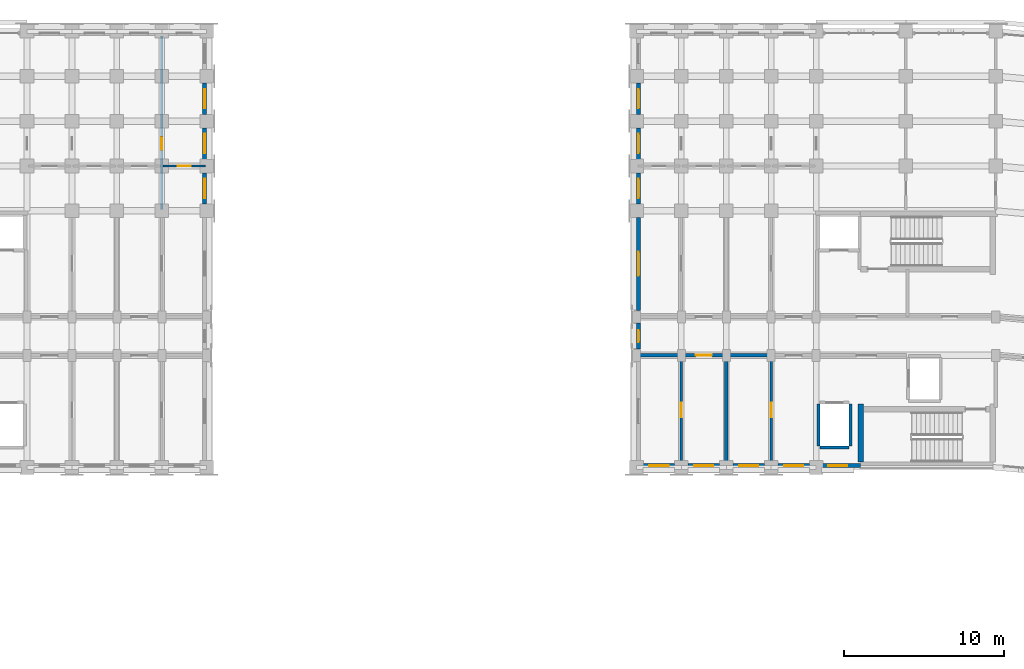
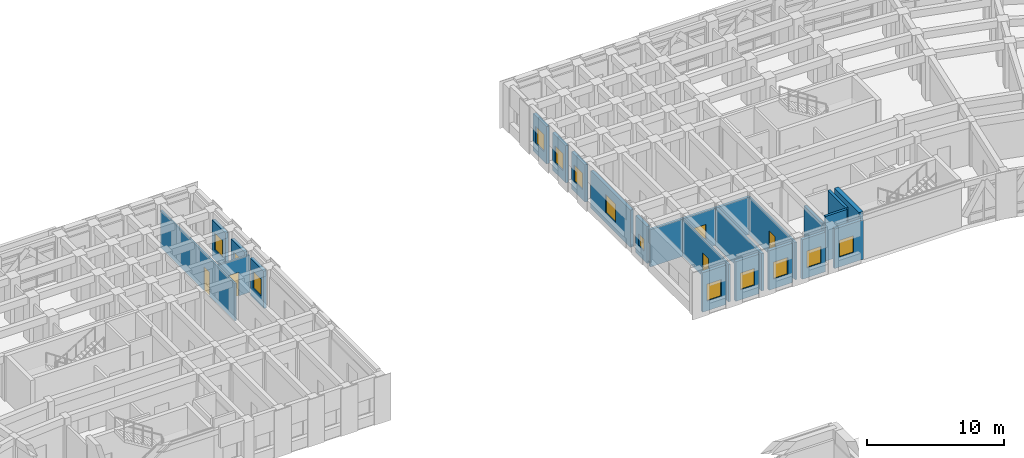
# One storey, part 72 of 97: 25 walls, 13 windows, 5 doors, 18 openings.
"""IFC4 building model written with IfcOpenShell, lengths in metres."""

import ifcopenshell
import ifcopenshell.guid

model = None  # the IFC model being written
_history = None  # IfcOwnerHistory: only IFC2X3 demands one
_inside = {}  # id of a spatial element -> (the spatial element, [elements in it])
_under = {}  # id of a project, library or spatial element -> (it, [spatial elements below it])
_declared = {}  # id of a project -> (the project, [libraries it declares])
_typed = {}  # id of a type object -> (the type object, [elements of that type])
_made_of = {}  # id of a material, layer set ... -> (it, [elements and type objects made of it])


def new_model(schema):
    """Start an empty IFC model of exactly this schema.

    Asked for "IFC4X3", IfcOpenShell would pick the latest addendum, in which some entities
    have other attributes; the version numbers below select the first issue.
    IFC2X3 requires an IfcOwnerHistory on every rooted entity: one is made here for all.
    """
    global model, _history
    if schema == "IFC4X3":
        model = ifcopenshell.file(schema_version=(4, 3, 0, 0))
    else:
        model = ifcopenshell.file(schema=schema)
    _inside.clear()
    _under.clear()
    _declared.clear()
    _typed.clear()
    _made_of.clear()
    _history = None
    if model.schema == "IFC2X3":
        org = make("IfcOrganization", Name="unknown")
        user = make(
            "IfcPersonAndOrganization",
            ThePerson=make("IfcPerson", FamilyName="unknown"),
            TheOrganization=org,
        )
        app = make(
            "IfcApplication",
            ApplicationDeveloper=org,
            Version="unknown",
            ApplicationFullName="unknown",
            ApplicationIdentifier="unknown",
        )
        _history = make(
            "IfcOwnerHistory",
            OwningUser=user,
            OwningApplication=app,
            ChangeAction="ADDED",
            CreationDate=0,
        )
    return model


def make(cls, **values):
    """One entity of the class cls with the attributes given. An attribute that is None is left unset."""
    return model.create_entity(
        cls, **{name: value for name, value in values.items() if value is not None}
    )


def rooted(cls, **values):
    """An entity with a GlobalId (a new one), such as an element, a storey or a relation."""
    return make(cls, GlobalId=ifcopenshell.guid.new(), OwnerHistory=_history, **values)


def si_unit(unit_type, name, prefix=None):
    """IfcSIUnit, for example si_unit("LENGTHUNIT", "METRE", prefix="MILLI")."""
    return make("IfcSIUnit", UnitType=unit_type, Prefix=prefix, Name=name)


def assignment(units):
    """IfcUnitAssignment: the units of a project."""
    return None if units is None else make("IfcUnitAssignment", Units=units)


def point(xyz):
    """IfcCartesianPoint."""
    return None if xyz is None else make("IfcCartesianPoint", Coordinates=xyz)


def direction(xyz):
    """IfcDirection."""
    return None if xyz is None else make("IfcDirection", DirectionRatios=xyz)


def frame(location, z_axis=None, x_axis=None):
    """IfcAxis2Placement3D, a coordinate frame: its origin and axes. An axis left out is left unset."""
    return make(
        "IfcAxis2Placement3D",
        Location=point(location),
        Axis=direction(z_axis),
        RefDirection=direction(x_axis),
    )


def frame_2d(location, x_axis=None):
    """IfcAxis2Placement2D, a coordinate frame in the plane: its origin and x axis."""
    return make(
        "IfcAxis2Placement2D", Location=point(location), RefDirection=direction(x_axis)
    )


def origin():
    """The frame at (0, 0, 0) with its axes left unset."""
    return frame((0.0, 0.0, 0.0))


def place(relative_to, where):
    """IfcLocalPlacement: puts the frame where relative to a parent placement (None: the world)."""
    return make(
        "IfcLocalPlacement", PlacementRelTo=relative_to, RelativePlacement=where
    )


def context(
    kind, dimensions, precision=None, world=None, true_north=None, identifier=None
):
    """IfcGeometricRepresentationContext, for example the 3D "Model" context."""
    return make(
        "IfcGeometricRepresentationContext",
        ContextIdentifier=identifier,
        ContextType=kind,
        CoordinateSpaceDimension=dimensions,
        Precision=precision,
        WorldCoordinateSystem=world,
        TrueNorth=true_north,
    )


def subcontext(parent, identifier, kind, view, scale=None):
    """IfcGeometricRepresentationSubContext, for example "Body" below "Model"."""
    return make(
        "IfcGeometricRepresentationSubContext",
        ContextIdentifier=identifier,
        ContextType=kind,
        ParentContext=parent,
        TargetScale=scale,
        TargetView=view,
    )


def project(units=None, contexts=None):
    """IfcProject with its units and contexts."""
    return rooted(
        "IfcProject",
        Name="project",
        RepresentationContexts=contexts,
        UnitsInContext=assignment(units),
    )


def spatial(cls, under=None, at=None, **own):
    """A site, building, storey or space (cls), placed at a placement, below another one or the project."""
    s = rooted(cls, ObjectPlacement=at, **own)
    if under is not None:
        _under.setdefault(under.id(), (under, []))[1].append(s)
    return s


def profile(cls, at=None, kind="AREA", **sizes):
    """A parametric profile (cls). Its sizes go by their IFC names, for example OverallWidth=200.0."""
    return make(cls, ProfileType=kind, Position=at, **sizes)


def rectangle(**sizes):
    """IfcRectangleProfileDef."""
    return profile("IfcRectangleProfileDef", **sizes)


def extrude(swept, where, along, depth):
    """IfcExtrudedAreaSolid: the profile swept, set in the frame where, extruded along a direction by depth."""
    return make(
        "IfcExtrudedAreaSolid",
        SweptArea=swept,
        Position=where,
        ExtrudedDirection=direction(along),
        Depth=depth,
    )


def shape(context_of_items, identifier, shape_type, items):
    """IfcShapeRepresentation: the items that make up one representation, for example the "Body"."""
    return make(
        "IfcShapeRepresentation",
        ContextOfItems=context_of_items,
        RepresentationIdentifier=identifier,
        RepresentationType=shape_type,
        Items=items,
    )


def material(Name=None, Category=None):
    """IfcMaterial."""
    return make("IfcMaterial", Name=Name, Category=Category)


def layer(
    of_material, thickness, ventilated=None, Name=None, Category=None, Priority=None
):
    """IfcMaterialLayer: one layer of a wall or slab, of a material (None: an air gap)."""
    return make(
        "IfcMaterialLayer",
        Material=of_material,
        LayerThickness=thickness,
        IsVentilated=ventilated,
        Name=Name,
        Category=Category,
        Priority=Priority,
    )


def layer_set(layers, Name=None):
    """IfcMaterialLayerSet."""
    return make("IfcMaterialLayerSet", MaterialLayers=layers, LayerSetName=Name)


def made_of(thing, what):
    """Note that an element or type object is made of a material, layer set ...; save() writes the relation."""
    if what is not None:
        _made_of.setdefault(what.id(), (what, []))[1].append(thing)
    return thing


def type_object(cls, material=None, **own):
    """A type object (cls), such as IfcWallType, which elements share."""
    return made_of(rooted(cls, **own), material)


def element(
    cls,
    number,
    at=None,
    inside=None,
    cuts=None,
    type_object=None,
    material=None,
    context=None,
    identifier="Body",
    shape_type=None,
    held_by="IfcProductDefinitionShape",
    body=None,
    shapes=None,
    **own,
):
    """One element of the class cls, such as IfcWall. Its Tag is "e" and its number.

    at: its placement. inside: the storey or other place that contains it. cuts: it is an
    opening in that element (IfcRelVoidsElement). A single representation is given by context,
    identifier, shape_type and body (its items); several are given by shapes. held_by: the class
    of the entity that holds the representations. save() writes the other relations.
    """
    e = rooted(cls, Tag="e%d" % number, ObjectPlacement=at, **own)
    if body is not None:
        shapes = [shape(context, identifier, shape_type, body)]
    if shapes is not None:
        e.Representation = make(held_by, Representations=shapes)
    if inside is not None:
        _inside.setdefault(inside.id(), (inside, []))[1].append(e)
    if cuts is not None:
        rooted(
            "IfcRelVoidsElement", RelatingBuildingElement=cuts, RelatedOpeningElement=e
        )
    if type_object is not None:
        _typed.setdefault(type_object.id(), (type_object, []))[1].append(e)
    return made_of(e, material)


def fill(opening, filler):
    """IfcRelFillsElement: the door or window that sits in an opening."""
    return rooted(
        "IfcRelFillsElement",
        RelatingOpeningElement=opening,
        RelatedBuildingElement=filler,
    )


def aggregate(whole, parts):
    """IfcRelAggregates: a whole, such as a stair, and the parts it consists of."""
    return rooted("IfcRelAggregates", RelatingObject=whole, RelatedObjects=parts)


def save(model, path):
    """Write the relations noted so far, then the file.

    IfcRelAggregates (storeys below a building ...), IfcRelContainedInSpatialStructure (elements
    in a storey), IfcRelDefinesByType, IfcRelAssociatesMaterial and IfcRelDeclares: one each for
    every whole, place, type object, material and project.
    """
    for whole, parts in _under.values():
        aggregate(whole, parts)
    for where, things in _inside.values():
        rooted(
            "IfcRelContainedInSpatialStructure",
            RelatedElements=things,
            RelatingStructure=where,
        )
    for kind, things in _typed.values():
        rooted("IfcRelDefinesByType", RelatedObjects=things, RelatingType=kind)
    for what, things in _made_of.values():
        rooted("IfcRelAssociatesMaterial", RelatedObjects=things, RelatingMaterial=what)
    for by, libraries in _declared.values():
        rooted("IfcRelDeclares", RelatingContext=by, RelatedDefinitions=libraries)
    model.write(path)


model = new_model("IFC4")

# Units and contexts
model_context = context("Model", 3, precision=1e-05, world=origin(), true_north=direction((0.0, 1.0)))
body_context = subcontext(model_context, "Body", "Model", "MODEL_VIEW")
ifc_project = project(units=[si_unit("LENGTHUNIT", "METRE"), si_unit("AREAUNIT", "SQUARE_METRE"), si_unit("VOLUMEUNIT", "CUBIC_METRE"), si_unit("PLANEANGLEUNIT", "RADIAN"), si_unit("MASSUNIT", "GRAM", prefix="KILO")], contexts=[model_context])

# Site, building, storey
site_placement = place(None, origin())
site = spatial("IfcSite", under=ifc_project, at=site_placement, CompositionType="ELEMENT")
building_placement = place(site_placement, origin())
building = spatial("IfcBuilding", under=site, at=building_placement, Name="Kiranvali Square Residences", CompositionType="ELEMENT")
storey_placement = place(building_placement, frame((0.0, 0.0, 4.5)))
storey = spatial("IfcBuildingStorey", under=building, at=storey_placement, Name="L01", CompositionType="ELEMENT", Elevation=4.5)

# Wall
ifc_material_1 = material(Name="Autoclaved aerated concrete blockwork masonry", Category="masonry")
ifc_layer_1 = layer(ifc_material_1, 0.199951171875)
ifc_layer_set_1 = layer_set([ifc_layer_1], Name="Autoclaved aerated concrete blockwork masonry")
wall_type_1 = type_object("IfcWallType", Name="WL-COR-200", PredefinedType="STANDARD", material=ifc_layer_set_1)
wall_1_placement = place(storey_placement, frame((105.800048828125, 113.60009765625, 0.0), z_axis=(0.0, 0.0, 1.0), x_axis=(-1.0, 0.0, 0.0)))
element("IfcWall", 1, at=wall_1_placement, inside=storey, type_object=wall_type_1, Name="L01 architectural wall WL-L01-B-A1CI-1", PredefinedType="STANDARD", context=body_context, shape_type="SweptSolid", body=[
    extrude(rectangle(XDim=2.800048828125, YDim=0.199951171875, at=frame_2d((1.39990234375, 0.0))), origin(), (0.0, 0.0, 1.0), 3.322021484375),
])

# Wall, opening, door
wall_2_placement = place(storey_placement, frame((103.0, 113.60009765625, 0.0), z_axis=(0.0, 0.0, 1.0), x_axis=(-1.0, 0.0, 0.0)))
wall_2 = element("IfcWall", 2, at=wall_2_placement, inside=storey, type_object=wall_type_1, Name="L01 architectural wall WL-L01-B-A1CI-2", PredefinedType="STANDARD", context=body_context, shape_type="SweptSolid", body=[
    extrude(rectangle(XDim=2.800048828125, YDim=0.199951171875, at=frame_2d((1.39990234375, 0.0))), origin(), (0.0, 0.0, 1.0), 3.322021484375),
])
opening_1_placement = place(wall_2_placement, frame((0.89990234375, 0.0, 0.0)))
opening_1 = element("IfcOpeningElement", 3, at=opening_1_placement, cuts=wall_2, Name="Opening FD-APT-60", PredefinedType="OPENING", context=body_context, shape_type="SweptSolid", body=[
    extrude(rectangle(XDim=1.0, YDim=2.14990234375, at=frame_2d((0.5, 1.074951171875))), frame((0.0, 0.10986328125, 0.0), z_axis=(0.0, -1.0, 0.0), x_axis=(1.0, 0.0, 0.0)), (0.0, 0.0, 1.0), 0.219970703125),
])
ifc_material_2 = material(Name="Fire-rated acoustic hardwood and mineral-core door assembly", Category="wood")
door_type_1 = type_object("IfcDoorType", Name="DR-APT-1000", OperationType="NOTDEFINED", PredefinedType="DOOR", material=ifc_material_2)
door_1_placement = place(opening_1_placement, frame((1.0, 0.0, 0.0), z_axis=(0.0, 0.0, 1.0), x_axis=(-1.0, 0.0, 0.0)))
door_1 = element("IfcDoor", 4, at=door_1_placement, inside=storey, type_object=door_type_1, Name="L01 door DR-L01-1014 (DR-APT-1000)", OperationType="SINGLE_SWING_RIGHT", OverallHeight=2.14990234375, OverallWidth=1.0, PredefinedType="DOOR", context=body_context, shape_type="SweptSolid", body=[
    extrude(rectangle(XDim=1.0, YDim=2.14990234375, at=frame_2d((0.5, 1.074951171875))), frame((0.0, 0.02490234375, 0.0), z_axis=(0.0, -1.0, 0.0), x_axis=(1.0, 0.0, 0.0)), (0.0, 0.0, 1.0), 0.050048828125),
])
fill(opening_1, door_1)

# Walls
wall_3_placement = place(storey_placement, frame((100.199951171875, 113.60009765625, 0.0), z_axis=(0.0, 0.0, 1.0), x_axis=(-1.0, 0.0, 0.0)))
element("IfcWall", 5, at=wall_3_placement, inside=storey, type_object=wall_type_1, Name="L01 architectural wall WL-L01-B-A1CI-3", PredefinedType="STANDARD", context=body_context, shape_type="SweptSolid", body=[
    extrude(rectangle(XDim=2.800048828125, YDim=0.199951171875, at=frame_2d((1.39990234375, 0.0))), origin(), (0.0, 0.0, 1.0), 3.322021484375),
])
ifc_layer_2 = layer(ifc_material_1, 0.219970703125)
ifc_layer_set_2 = layer_set([ifc_layer_2], Name="Autoclaved aerated concrete blockwork masonry")
wall_type_2 = type_object("IfcWallType", Name="WL-DEM-220", PredefinedType="STANDARD", material=ifc_layer_set_2)
wall_4_placement = place(storey_placement, frame((103.0, 106.800048828125, 0.0), z_axis=(0.0, 0.0, 1.0), x_axis=(0.0, 1.0, 0.0)))
element("IfcWall", 6, at=wall_4_placement, inside=storey, type_object=wall_type_2, Name="L01 architectural wall WL-L01-B-A1TI-2", PredefinedType="STANDARD", context=body_context, shape_type="SweptSolid", body=[
    extrude(rectangle(XDim=6.75, YDim=0.219970703125, at=frame_2d((3.375, 0.0))), origin(), (0.0, 0.0, 1.0), 3.322021484375),
])

# Wall, opening, window
ifc_material_3 = material(Name="Breathable lime-rendered clay brick masonry", Category="masonry")
ifc_layer_3 = layer(ifc_material_3, 0.25)
ifc_layer_set_3 = layer_set([ifc_layer_3], Name="Breathable lime-rendered clay brick masonry")
wall_type_3 = type_object("IfcWallType", Name="WL-EXT-250", PredefinedType="STANDARD", material=ifc_layer_set_3)
wall_5_placement = place(storey_placement, frame((70.47509765625, 123.02001953125, 0.0), z_axis=(0.0, 0.0, 1.0), x_axis=(0.0, 1.0, 0.0)))
wall_5 = element("IfcWall", 7, at=wall_5_placement, inside=storey, type_object=wall_type_3, Name="L01 exterior wall A-L01-A1END-3", PredefinedType="STANDARD", context=body_context, shape_type="SweptSolid", body=[
    extrude(rectangle(XDim=1.9599609375, YDim=0.25, at=frame_2d((0.97998046875, 0.0))), origin(), (0.0, 0.0, 1.0), 3.322021484375),
])
opening_2_placement = place(wall_5_placement, frame((0.3798828125, 0.0, 0.8798828125)))
opening_2 = element("IfcOpeningElement", 8, at=opening_2_placement, cuts=wall_5, Name="Opening W-06", PredefinedType="OPENING", context=body_context, shape_type="SweptSolid", body=[
    extrude(rectangle(XDim=1.199951171875, YDim=1.5, at=frame_2d((0.60009765625, 0.75))), frame((0.0, 0.135009765625, 0.0), z_axis=(0.0, -1.0, 0.0), x_axis=(1.0, 0.0, 0.0)), (0.0, 0.0, 1.0), 0.27001953125),
])
ifc_material_4 = material(Name="Solar-control low-e double glazing", Category="glass")
window_type_1 = type_object("IfcWindowType", Name="WIN-RES-1200x1500", PartitioningType="SINGLE_PANEL", PredefinedType="WINDOW", material=ifc_material_4)
window_1_placement = place(opening_2_placement, origin())
window_1 = element("IfcWindow", 9, at=window_1_placement, inside=storey, type_object=window_type_1, Name="L01 recessed window A-L01-A1END-3", OverallHeight=1.5, OverallWidth=1.199951171875, PartitioningType="SINGLE_PANEL", PredefinedType="WINDOW", context=body_context, shape_type="SweptSolid", body=[
    extrude(rectangle(XDim=1.199951171875, YDim=1.5, at=frame_2d((0.60009765625, 0.75))), frame((0.0, 0.030029296875, 0.0), z_axis=(0.0, -1.0, 0.0), x_axis=(1.0, 0.0, 0.0)), (0.0, 0.0, 1.0), 0.06005859375),
])
fill(opening_2, window_1)

wall_6_placement = place(storey_placement, frame((70.47509765625, 125.820068359375, 0.0), z_axis=(0.0, 0.0, 1.0), x_axis=(0.0, 1.0, 0.0)))
wall_6 = element("IfcWall", 10, at=wall_6_placement, inside=storey, type_object=wall_type_3, Name="L01 exterior wall A-L01-A1END-4", PredefinedType="STANDARD", context=body_context, shape_type="SweptSolid", body=[
    extrude(rectangle(XDim=1.9599609375, YDim=0.25, at=frame_2d((0.97998046875, 0.0))), origin(), (0.0, 0.0, 1.0), 3.322021484375),
])
opening_3_placement = place(wall_6_placement, frame((0.3798828125, 0.0, 0.8798828125)))
opening_3 = element("IfcOpeningElement", 11, at=opening_3_placement, cuts=wall_6, Name="Opening W-06", PredefinedType="OPENING", context=body_context, shape_type="SweptSolid", body=[
    extrude(rectangle(XDim=1.199951171875, YDim=1.5, at=frame_2d((0.60009765625, 0.75))), frame((0.0, 0.135009765625, 0.0), z_axis=(0.0, -1.0, 0.0), x_axis=(1.0, 0.0, 0.0)), (0.0, 0.0, 1.0), 0.27001953125),
])
window_2_placement = place(opening_3_placement, origin())
window_2 = element("IfcWindow", 12, at=window_2_placement, inside=storey, type_object=window_type_1, Name="L01 recessed window A-L01-A1END-4", OverallHeight=1.5, OverallWidth=1.199951171875, PartitioningType="SINGLE_PANEL", PredefinedType="WINDOW", context=body_context, shape_type="SweptSolid", body=[
    extrude(rectangle(XDim=1.199951171875, YDim=1.5, at=frame_2d((0.60009765625, 0.75))), frame((0.0, 0.030029296875, 0.0), z_axis=(0.0, -1.0, 0.0), x_axis=(1.0, 0.0, 0.0)), (0.0, 0.0, 1.0), 0.06005859375),
])
fill(opening_3, window_2)

wall_7_placement = place(storey_placement, frame((70.47509765625, 128.6201171875, 0.0), z_axis=(0.0, 0.0, 1.0), x_axis=(0.0, 1.0, 0.0)))
wall_7 = element("IfcWall", 13, at=wall_7_placement, inside=storey, type_object=wall_type_3, Name="L01 exterior wall A-L01-A1END-5", PredefinedType="STANDARD", context=body_context, shape_type="SweptSolid", body=[
    extrude(rectangle(XDim=1.9599609375, YDim=0.25, at=frame_2d((0.97998046875, 0.0))), origin(), (0.0, 0.0, 1.0), 3.322021484375),
])
opening_4_placement = place(wall_7_placement, frame((0.3798828125, 0.0, 0.8798828125)))
opening_4 = element("IfcOpeningElement", 14, at=opening_4_placement, cuts=wall_7, Name="Opening W-06", PredefinedType="OPENING", context=body_context, shape_type="SweptSolid", body=[
    extrude(rectangle(XDim=1.199951171875, YDim=1.5, at=frame_2d((0.60009765625, 0.75))), frame((0.0, 0.135009765625, 0.0), z_axis=(0.0, -1.0, 0.0), x_axis=(1.0, 0.0, 0.0)), (0.0, 0.0, 1.0), 0.27001953125),
])
window_3_placement = place(opening_4_placement, origin())
window_3 = element("IfcWindow", 15, at=window_3_placement, inside=storey, type_object=window_type_1, Name="L01 recessed window A-L01-A1END-5", OverallHeight=1.5, OverallWidth=1.199951171875, PartitioningType="SINGLE_PANEL", PredefinedType="WINDOW", context=body_context, shape_type="SweptSolid", body=[
    extrude(rectangle(XDim=1.199951171875, YDim=1.5, at=frame_2d((0.60009765625, 0.75))), frame((0.0, 0.030029296875, 0.0), z_axis=(0.0, -1.0, 0.0), x_axis=(1.0, 0.0, 0.0)), (0.0, 0.0, 1.0), 0.06005859375),
])
fill(opening_4, window_3)

wall_8_placement = place(storey_placement, frame((111.37158203125, 106.72509765625, 0.0), z_axis=(0.0, 0.0, 1.0), x_axis=(-1.0, 0.0, 0.0)))
wall_8 = element("IfcWall", 16, at=wall_8_placement, inside=storey, type_object=wall_type_3, Name="L01 exterior wall B-L01-A1IN-0", PredefinedType="STANDARD", context=body_context, shape_type="SweptSolid", body=[
    extrude(rectangle(XDim=2.421630859375, YDim=0.25, at=frame_2d((1.2109375, 0.0))), origin(), (0.0, 0.0, 1.0), 3.52197265625),
])
opening_5_placement = place(wall_8_placement, frame((0.821533203125, 0.0, 0.8798828125)))
opening_5 = element("IfcOpeningElement", 17, at=opening_5_placement, cuts=wall_8, Name="Opening W-06", PredefinedType="OPENING", context=body_context, shape_type="SweptSolid", body=[
    extrude(rectangle(XDim=1.199951171875, YDim=1.5, at=frame_2d((0.60009765625, 0.75))), frame((0.0, 0.135009765625, 0.0), z_axis=(0.0, -1.0, 0.0), x_axis=(1.0, 0.0, 0.0)), (0.0, 0.0, 1.0), 0.27001953125),
])
window_4_placement = place(opening_5_placement, origin())
window_4 = element("IfcWindow", 18, at=window_4_placement, inside=storey, type_object=window_type_1, Name="L01 recessed window B-L01-A1IN-0", OverallHeight=1.5, OverallWidth=1.199951171875, PartitioningType="SINGLE_PANEL", PredefinedType="WINDOW", context=body_context, shape_type="SweptSolid", body=[
    extrude(rectangle(XDim=1.199951171875, YDim=1.5, at=frame_2d((0.60009765625, 0.75))), frame((0.0, 0.030029296875, 0.0), z_axis=(0.0, -1.0, 0.0), x_axis=(1.0, 0.0, 0.0)), (0.0, 0.0, 1.0), 0.06005859375),
])
fill(opening_5, window_4)

wall_9_placement = place(storey_placement, frame((108.179931640625, 106.72509765625, 0.0), z_axis=(0.0, 0.0, 1.0), x_axis=(-1.0, 0.0, 0.0)))
wall_9 = element("IfcWall", 19, at=wall_9_placement, inside=storey, type_object=wall_type_3, Name="L01 exterior wall B-L01-A1I-0", PredefinedType="STANDARD", context=body_context, shape_type="SweptSolid", body=[
    extrude(rectangle(XDim=1.9599609375, YDim=0.25, at=frame_2d((0.97998046875, 0.0))), origin(), (0.0, 0.0, 1.0), 3.52197265625),
])
opening_6_placement = place(wall_9_placement, frame((0.3798828125, 0.0, 0.8798828125)))
opening_6 = element("IfcOpeningElement", 20, at=opening_6_placement, cuts=wall_9, Name="Opening W-06", PredefinedType="OPENING", context=body_context, shape_type="SweptSolid", body=[
    extrude(rectangle(XDim=1.199951171875, YDim=1.5, at=frame_2d((0.60009765625, 0.75))), frame((0.0, 0.135009765625, 0.0), z_axis=(0.0, -1.0, 0.0), x_axis=(1.0, 0.0, 0.0)), (0.0, 0.0, 1.0), 0.27001953125),
])
window_5_placement = place(opening_6_placement, origin())
window_5 = element("IfcWindow", 21, at=window_5_placement, inside=storey, type_object=window_type_1, Name="L01 recessed window B-L01-A1I-0", OverallHeight=1.5, OverallWidth=1.199951171875, PartitioningType="SINGLE_PANEL", PredefinedType="WINDOW", context=body_context, shape_type="SweptSolid", body=[
    extrude(rectangle(XDim=1.199951171875, YDim=1.5, at=frame_2d((0.60009765625, 0.75))), frame((0.0, 0.030029296875, 0.0), z_axis=(0.0, -1.0, 0.0), x_axis=(1.0, 0.0, 0.0)), (0.0, 0.0, 1.0), 0.06005859375),
])
fill(opening_6, window_5)

wall_10_placement = place(storey_placement, frame((105.3798828125, 106.72509765625, 0.0), z_axis=(0.0, 0.0, 1.0), x_axis=(-1.0, 0.0, 0.0)))
wall_10 = element("IfcWall", 22, at=wall_10_placement, inside=storey, type_object=wall_type_3, Name="L01 exterior wall B-L01-A1I-1", PredefinedType="STANDARD", context=body_context, shape_type="SweptSolid", body=[
    extrude(rectangle(XDim=1.9599609375, YDim=0.25, at=frame_2d((0.97998046875, 0.0))), origin(), (0.0, 0.0, 1.0), 3.52197265625),
])
opening_7_placement = place(wall_10_placement, frame((0.3798828125, 0.0, 0.8798828125)))
opening_7 = element("IfcOpeningElement", 23, at=opening_7_placement, cuts=wall_10, Name="Opening W-06", PredefinedType="OPENING", context=body_context, shape_type="SweptSolid", body=[
    extrude(rectangle(XDim=1.199951171875, YDim=1.5, at=frame_2d((0.60009765625, 0.75))), frame((0.0, 0.135009765625, 0.0), z_axis=(0.0, -1.0, 0.0), x_axis=(1.0, 0.0, 0.0)), (0.0, 0.0, 1.0), 0.27001953125),
])
window_6_placement = place(opening_7_placement, origin())
window_6 = element("IfcWindow", 24, at=window_6_placement, inside=storey, type_object=window_type_1, Name="L01 recessed window B-L01-A1I-1", OverallHeight=1.5, OverallWidth=1.199951171875, PartitioningType="SINGLE_PANEL", PredefinedType="WINDOW", context=body_context, shape_type="SweptSolid", body=[
    extrude(rectangle(XDim=1.199951171875, YDim=1.5, at=frame_2d((0.60009765625, 0.75))), frame((0.0, 0.030029296875, 0.0), z_axis=(0.0, -1.0, 0.0), x_axis=(1.0, 0.0, 0.0)), (0.0, 0.0, 1.0), 0.06005859375),
])
fill(opening_7, window_6)

wall_11_placement = place(storey_placement, frame((102.580078125, 106.72509765625, 0.0), z_axis=(0.0, 0.0, 1.0), x_axis=(-1.0, 0.0, 0.0)))
wall_11 = element("IfcWall", 25, at=wall_11_placement, inside=storey, type_object=wall_type_3, Name="L01 exterior wall B-L01-A1I-2", PredefinedType="STANDARD", context=body_context, shape_type="SweptSolid", body=[
    extrude(rectangle(XDim=1.9599609375, YDim=0.25, at=frame_2d((0.97998046875, 0.0))), origin(), (0.0, 0.0, 1.0), 3.52197265625),
])
opening_8_placement = place(wall_11_placement, frame((0.3798828125, 0.0, 0.8798828125)))
opening_8 = element("IfcOpeningElement", 26, at=opening_8_placement, cuts=wall_11, Name="Opening W-06", PredefinedType="OPENING", context=body_context, shape_type="SweptSolid", body=[
    extrude(rectangle(XDim=1.199951171875, YDim=1.5, at=frame_2d((0.60009765625, 0.75))), frame((0.0, 0.135009765625, 0.0), z_axis=(0.0, -1.0, 0.0), x_axis=(1.0, 0.0, 0.0)), (0.0, 0.0, 1.0), 0.27001953125),
])
window_7_placement = place(opening_8_placement, origin())
window_7 = element("IfcWindow", 27, at=window_7_placement, inside=storey, type_object=window_type_1, Name="L01 recessed window B-L01-A1I-2", OverallHeight=1.5, OverallWidth=1.199951171875, PartitioningType="SINGLE_PANEL", PredefinedType="WINDOW", context=body_context, shape_type="SweptSolid", body=[
    extrude(rectangle(XDim=1.199951171875, YDim=1.5, at=frame_2d((0.60009765625, 0.75))), frame((0.0, 0.030029296875, 0.0), z_axis=(0.0, -1.0, 0.0), x_axis=(1.0, 0.0, 0.0)), (0.0, 0.0, 1.0), 0.06005859375),
])
fill(opening_8, window_7)

wall_12_placement = place(storey_placement, frame((99.780029296875, 106.72509765625, 0.0), z_axis=(0.0, 0.0, 1.0), x_axis=(-1.0, 0.0, 0.0)))
wall_12 = element("IfcWall", 28, at=wall_12_placement, inside=storey, type_object=wall_type_3, Name="L01 exterior wall B-L01-A1I-3", PredefinedType="STANDARD", context=body_context, shape_type="SweptSolid", body=[
    extrude(rectangle(XDim=1.9599609375, YDim=0.25, at=frame_2d((0.97998046875, 0.0))), origin(), (0.0, 0.0, 1.0), 3.52197265625),
])
opening_9_placement = place(wall_12_placement, frame((0.3798828125, 0.0, 0.8798828125)))
opening_9 = element("IfcOpeningElement", 29, at=opening_9_placement, cuts=wall_12, Name="Opening W-06", PredefinedType="OPENING", context=body_context, shape_type="SweptSolid", body=[
    extrude(rectangle(XDim=1.199951171875, YDim=1.5, at=frame_2d((0.60009765625, 0.75))), frame((0.0, 0.135009765625, 0.0), z_axis=(0.0, -1.0, 0.0), x_axis=(1.0, 0.0, 0.0)), (0.0, 0.0, 1.0), 0.27001953125),
])
window_8_placement = place(opening_9_placement, origin())
window_8 = element("IfcWindow", 30, at=window_8_placement, inside=storey, type_object=window_type_1, Name="L01 recessed window B-L01-A1I-3", OverallHeight=1.5, OverallWidth=1.199951171875, PartitioningType="SINGLE_PANEL", PredefinedType="WINDOW", context=body_context, shape_type="SweptSolid", body=[
    extrude(rectangle(XDim=1.199951171875, YDim=1.5, at=frame_2d((0.60009765625, 0.75))), frame((0.0, 0.030029296875, 0.0), z_axis=(0.0, -1.0, 0.0), x_axis=(1.0, 0.0, 0.0)), (0.0, 0.0, 1.0), 0.06005859375),
])
fill(opening_9, window_8)

wall_13_placement = place(storey_placement, frame((97.52490234375, 113.978515625, 0.0), z_axis=(0.0, 0.0, 1.0), x_axis=(0.0, 1.0, 0.0)))
wall_13 = element("IfcWall", 31, at=wall_13_placement, inside=storey, type_object=wall_type_3, Name="L01 exterior wall B-L01-A1END-1", PredefinedType="STANDARD", context=body_context, shape_type="SweptSolid", body=[
    extrude(rectangle(XDim=1.64306640625, YDim=0.25, at=frame_2d((0.821533203125, 0.0))), origin(), (0.0, 0.0, 1.0), 3.322021484375),
])
opening_10_placement = place(wall_13_placement, frame((0.446533203125, 0.0, 0.8798828125)))
opening_10 = element("IfcOpeningElement", 32, at=opening_10_placement, cuts=wall_13, Name="Opening W-07", PredefinedType="OPENING", context=body_context, shape_type="SweptSolid", body=[
    extrude(rectangle(XDim=0.75, YDim=1.050048828125, at=frame_2d((0.375, 0.52490234375))), frame((0.0, 0.135009765625, 0.0), z_axis=(0.0, -1.0, 0.0), x_axis=(1.0, 0.0, 0.0)), (0.0, 0.0, 1.0), 0.27001953125),
])
window_type_2 = type_object("IfcWindowType", Name="WIN-WET-750x1050", PartitioningType="SINGLE_PANEL", PredefinedType="WINDOW", material=ifc_material_4)
window_9_placement = place(opening_10_placement, origin())
window_9 = element("IfcWindow", 33, at=window_9_placement, inside=storey, type_object=window_type_2, Name="L01 recessed window B-L01-A1END-1", OverallHeight=1.050048828125, OverallWidth=0.75, PartitioningType="SINGLE_PANEL", PredefinedType="WINDOW", context=body_context, shape_type="SweptSolid", body=[
    extrude(rectangle(XDim=0.75, YDim=1.050048828125, at=frame_2d((0.375, 0.52490234375))), frame((0.0, 0.030029296875, 0.0), z_axis=(0.0, -1.0, 0.0), x_axis=(1.0, 0.0, 0.0)), (0.0, 0.0, 1.0), 0.06005859375),
])
fill(opening_10, window_9)

wall_14_placement = place(storey_placement, frame((97.52490234375, 116.37841796875, 0.0), z_axis=(0.0, 0.0, 1.0), x_axis=(0.0, 1.0, 0.0)))
wall_14 = element("IfcWall", 34, at=wall_14_placement, inside=storey, type_object=wall_type_3, Name="L01 exterior wall B-L01-A1END-2", PredefinedType="STANDARD", context=body_context, shape_type="SweptSolid", body=[
    extrude(rectangle(XDim=5.801513671875, YDim=0.25, at=frame_2d((2.90087890625, 0.0))), origin(), (0.0, 0.0, 1.0), 3.322021484375),
])
opening_11_placement = place(wall_14_placement, frame((2.17138671875, 0.0, 0.8798828125)))
opening_11 = element("IfcOpeningElement", 35, at=opening_11_placement, cuts=wall_14, Name="Opening W-05", PredefinedType="OPENING", context=body_context, shape_type="SweptSolid", body=[
    extrude(rectangle(XDim=1.5, YDim=1.64990234375, at=frame_2d((0.75, 0.824951171875))), frame((0.0, 0.135009765625, 0.0), z_axis=(0.0, -1.0, 0.0), x_axis=(1.0, 0.0, 0.0)), (0.0, 0.0, 1.0), 0.27001953125),
])
window_type_3 = type_object("IfcWindowType", Name="WIN-RES-1500x1650", PartitioningType="DOUBLE_PANEL_VERTICAL", PredefinedType="WINDOW", material=ifc_material_4)
window_10_placement = place(opening_11_placement, origin())
window_10 = element("IfcWindow", 36, at=window_10_placement, inside=storey, type_object=window_type_3, Name="L01 recessed window B-L01-A1END-2", OverallHeight=1.64990234375, OverallWidth=1.5, PartitioningType="DOUBLE_PANEL_VERTICAL", PredefinedType="WINDOW", context=body_context, shape_type="SweptSolid", body=[
    extrude(rectangle(XDim=1.5, YDim=1.64990234375, at=frame_2d((0.75, 0.824951171875))), frame((0.0, 0.030029296875, 0.0), z_axis=(0.0, -1.0, 0.0), x_axis=(1.0, 0.0, 0.0)), (0.0, 0.0, 1.0), 0.06005859375),
])
fill(opening_11, window_10)

wall_15_placement = place(storey_placement, frame((97.52490234375, 123.02001953125, 0.0), z_axis=(0.0, 0.0, 1.0), x_axis=(0.0, 1.0, 0.0)))
wall_15 = element("IfcWall", 37, at=wall_15_placement, inside=storey, type_object=wall_type_3, Name="L01 exterior wall B-L01-A1END-3", PredefinedType="STANDARD", context=body_context, shape_type="SweptSolid", body=[
    extrude(rectangle(XDim=1.9599609375, YDim=0.25, at=frame_2d((0.97998046875, 0.0))), origin(), (0.0, 0.0, 1.0), 3.322021484375),
])
opening_12_placement = place(wall_15_placement, frame((0.3798828125, 0.0, 0.8798828125)))
opening_12 = element("IfcOpeningElement", 38, at=opening_12_placement, cuts=wall_15, Name="Opening W-06", PredefinedType="OPENING", context=body_context, shape_type="SweptSolid", body=[
    extrude(rectangle(XDim=1.199951171875, YDim=1.5, at=frame_2d((0.60009765625, 0.75))), frame((0.0, 0.135009765625, 0.0), z_axis=(0.0, -1.0, 0.0), x_axis=(1.0, 0.0, 0.0)), (0.0, 0.0, 1.0), 0.27001953125),
])
window_11_placement = place(opening_12_placement, origin())
window_11 = element("IfcWindow", 39, at=window_11_placement, inside=storey, type_object=window_type_1, Name="L01 recessed window B-L01-A1END-3", OverallHeight=1.5, OverallWidth=1.199951171875, PartitioningType="SINGLE_PANEL", PredefinedType="WINDOW", context=body_context, shape_type="SweptSolid", body=[
    extrude(rectangle(XDim=1.199951171875, YDim=1.5, at=frame_2d((0.60009765625, 0.75))), frame((0.0, 0.030029296875, 0.0), z_axis=(0.0, -1.0, 0.0), x_axis=(1.0, 0.0, 0.0)), (0.0, 0.0, 1.0), 0.06005859375),
])
fill(opening_12, window_11)

wall_16_placement = place(storey_placement, frame((97.52490234375, 125.820068359375, 0.0), z_axis=(0.0, 0.0, 1.0), x_axis=(0.0, 1.0, 0.0)))
wall_16 = element("IfcWall", 40, at=wall_16_placement, inside=storey, type_object=wall_type_3, Name="L01 exterior wall B-L01-A1END-4", PredefinedType="STANDARD", context=body_context, shape_type="SweptSolid", body=[
    extrude(rectangle(XDim=1.9599609375, YDim=0.25, at=frame_2d((0.97998046875, 0.0))), origin(), (0.0, 0.0, 1.0), 3.322021484375),
])
opening_13_placement = place(wall_16_placement, frame((0.3798828125, 0.0, 0.8798828125)))
opening_13 = element("IfcOpeningElement", 41, at=opening_13_placement, cuts=wall_16, Name="Opening W-06", PredefinedType="OPENING", context=body_context, shape_type="SweptSolid", body=[
    extrude(rectangle(XDim=1.199951171875, YDim=1.5, at=frame_2d((0.60009765625, 0.75))), frame((0.0, 0.135009765625, 0.0), z_axis=(0.0, -1.0, 0.0), x_axis=(1.0, 0.0, 0.0)), (0.0, 0.0, 1.0), 0.27001953125),
])
window_12_placement = place(opening_13_placement, origin())
window_12 = element("IfcWindow", 42, at=window_12_placement, inside=storey, type_object=window_type_1, Name="L01 recessed window B-L01-A1END-4", OverallHeight=1.5, OverallWidth=1.199951171875, PartitioningType="SINGLE_PANEL", PredefinedType="WINDOW", context=body_context, shape_type="SweptSolid", body=[
    extrude(rectangle(XDim=1.199951171875, YDim=1.5, at=frame_2d((0.60009765625, 0.75))), frame((0.0, 0.030029296875, 0.0), z_axis=(0.0, -1.0, 0.0), x_axis=(1.0, 0.0, 0.0)), (0.0, 0.0, 1.0), 0.06005859375),
])
fill(opening_13, window_12)

wall_17_placement = place(storey_placement, frame((97.52490234375, 128.6201171875, 0.0), z_axis=(0.0, 0.0, 1.0), x_axis=(0.0, 1.0, 0.0)))
wall_17 = element("IfcWall", 43, at=wall_17_placement, inside=storey, type_object=wall_type_3, Name="L01 exterior wall B-L01-A1END-5", PredefinedType="STANDARD", context=body_context, shape_type="SweptSolid", body=[
    extrude(rectangle(XDim=1.9599609375, YDim=0.25, at=frame_2d((0.97998046875, 0.0))), origin(), (0.0, 0.0, 1.0), 3.322021484375),
])
opening_14_placement = place(wall_17_placement, frame((0.3798828125, 0.0, 0.8798828125)))
opening_14 = element("IfcOpeningElement", 44, at=opening_14_placement, cuts=wall_17, Name="Opening W-06", PredefinedType="OPENING", context=body_context, shape_type="SweptSolid", body=[
    extrude(rectangle(XDim=1.199951171875, YDim=1.5, at=frame_2d((0.60009765625, 0.75))), frame((0.0, 0.135009765625, 0.0), z_axis=(0.0, -1.0, 0.0), x_axis=(1.0, 0.0, 0.0)), (0.0, 0.0, 1.0), 0.27001953125),
])
window_13_placement = place(opening_14_placement, origin())
window_13 = element("IfcWindow", 45, at=window_13_placement, inside=storey, type_object=window_type_1, Name="L01 recessed window B-L01-A1END-5", OverallHeight=1.5, OverallWidth=1.199951171875, PartitioningType="SINGLE_PANEL", PredefinedType="WINDOW", context=body_context, shape_type="SweptSolid", body=[
    extrude(rectangle(XDim=1.199951171875, YDim=1.5, at=frame_2d((0.60009765625, 0.75))), frame((0.0, 0.030029296875, 0.0), z_axis=(0.0, -1.0, 0.0), x_axis=(1.0, 0.0, 0.0)), (0.0, 0.0, 1.0), 0.06005859375),
])
fill(opening_14, window_13)

# Wall, opening, door
ifc_material_5 = material(Name="Acoustic gypsum board drylined partition", Category="gypsum")
ifc_layer_4 = layer(ifc_material_5, 0.14990234375)
ifc_layer_set_4 = layer_set([ifc_layer_4], Name="Acoustic gypsum board drylined partition")
wall_type_4 = type_object("IfcWallType", Name="WL-PRT-150", PredefinedType="PARTITIONING", material=ifc_layer_set_4)
wall_18_placement = place(storey_placement, frame((67.800048828125, 122.699951171875, 0.0), z_axis=(0.0, 0.0, 1.0), x_axis=(0.0, 1.0, 0.0)))
wall_18 = element("IfcWall", 46, at=wall_18_placement, inside=storey, type_object=wall_type_4, Name="L01 architectural wall WL-L01-A-A1TO2-3", PredefinedType="PARTITIONING", context=body_context, shape_type="SweptSolid", body=[
    extrude(rectangle(XDim=10.820068359375, YDim=0.14990234375, at=frame_2d((5.41015625, 0.0))), origin(), (0.0, 0.0, 1.0), 3.322021484375),
])
opening_15_placement = place(wall_18_placement, frame((3.69970703125, 0.0, 0.0)))
opening_15 = element("IfcOpeningElement", 47, at=opening_15_placement, cuts=wall_18, Name="Opening ID-WET", PredefinedType="OPENING", context=body_context, shape_type="SweptSolid", body=[
    extrude(rectangle(XDim=0.800048828125, YDim=2.10009765625, at=frame_2d((0.39990234375, 1.050048828125))), frame((0.0, 0.0849609375, 0.0), z_axis=(0.0, -1.0, 0.0), x_axis=(1.0, 0.0, 0.0)), (0.0, 0.0, 1.0), 0.169921875),
])
ifc_material_6 = material(Name="Solid seasoned teak hardwood joinery", Category="wood")
door_type_2 = type_object("IfcDoorType", Name="DR-WET-800", OperationType="NOTDEFINED", PredefinedType="DOOR", material=ifc_material_6)
door_2_placement = place(opening_15_placement, frame((0.800048828125, 0.0, 0.0), z_axis=(0.0, 0.0, 1.0), x_axis=(-1.0, 0.0, 0.0)))
door_2 = element("IfcDoor", 48, at=door_2_placement, inside=storey, type_object=door_type_2, Name="L01 door DR-L01-0122 (DR-WET-800)", OperationType="SINGLE_SWING_RIGHT", OverallHeight=2.10009765625, OverallWidth=0.800048828125, PredefinedType="DOOR", context=body_context, shape_type="SweptSolid", body=[
    extrude(rectangle(XDim=0.800048828125, YDim=2.10009765625, at=frame_2d((0.39990234375, 1.050048828125))), frame((0.0, 0.02490234375, 0.0), z_axis=(0.0, -1.0, 0.0), x_axis=(1.0, 0.0, 0.0)), (0.0, 0.0, 1.0), 0.050048828125),
])
fill(opening_15, door_2)

wall_19_placement = place(storey_placement, frame((105.800048828125, 106.800048828125, 0.0), z_axis=(0.0, 0.0, 1.0), x_axis=(0.0, 1.0, 0.0)))
wall_19 = element("IfcWall", 49, at=wall_19_placement, inside=storey, type_object=wall_type_4, Name="L01 architectural wall WL-L01-B-A1TI-1", PredefinedType="PARTITIONING", context=body_context, shape_type="SweptSolid", body=[
    extrude(rectangle(XDim=6.75, YDim=0.14990234375, at=frame_2d((3.375, 0.0))), origin(), (0.0, 0.0, 1.0), 3.322021484375),
])
opening_16_placement = place(wall_19_placement, frame((2.925048828125, 0.0, 0.0)))
opening_16 = element("IfcOpeningElement", 50, at=opening_16_placement, cuts=wall_19, Name="Opening ID-1", PredefinedType="OPENING", context=body_context, shape_type="SweptSolid", body=[
    extrude(rectangle(XDim=0.89990234375, YDim=2.10009765625, at=frame_2d((0.449951171875, 1.050048828125))), frame((0.0, 0.0849609375, 0.0), z_axis=(0.0, -1.0, 0.0), x_axis=(1.0, 0.0, 0.0)), (0.0, 0.0, 1.0), 0.169921875),
])
door_type_3 = type_object("IfcDoorType", Name="DR-INT-900", OperationType="NOTDEFINED", PredefinedType="DOOR", material=ifc_material_6)
door_3_placement = place(opening_16_placement, origin())
door_3 = element("IfcDoor", 51, at=door_3_placement, inside=storey, type_object=door_type_3, Name="L01 door DR-L01-1019 (DR-INT-900)", OperationType="SINGLE_SWING_LEFT", OverallHeight=2.10009765625, OverallWidth=0.89990234375, PredefinedType="DOOR", context=body_context, shape_type="SweptSolid", body=[
    extrude(rectangle(XDim=0.89990234375, YDim=2.10009765625, at=frame_2d((0.449951171875, 1.050048828125))), frame((0.0, 0.02490234375, 0.0), z_axis=(0.0, -1.0, 0.0), x_axis=(1.0, 0.0, 0.0)), (0.0, 0.0, 1.0), 0.050048828125),
])
fill(opening_16, door_3)

wall_20_placement = place(storey_placement, frame((100.199951171875, 106.800048828125, 0.0), z_axis=(0.0, 0.0, 1.0), x_axis=(0.0, 1.0, 0.0)))
wall_20 = element("IfcWall", 52, at=wall_20_placement, inside=storey, type_object=wall_type_4, Name="L01 architectural wall WL-L01-B-A1TI-3", PredefinedType="PARTITIONING", context=body_context, shape_type="SweptSolid", body=[
    extrude(rectangle(XDim=6.75, YDim=0.14990234375, at=frame_2d((3.375, 0.0))), origin(), (0.0, 0.0, 1.0), 3.322021484375),
])
opening_17_placement = place(wall_20_placement, frame((2.925048828125, 0.0, 0.0)))
opening_17 = element("IfcOpeningElement", 53, at=opening_17_placement, cuts=wall_20, Name="Opening ID-1", PredefinedType="OPENING", context=body_context, shape_type="SweptSolid", body=[
    extrude(rectangle(XDim=0.89990234375, YDim=2.10009765625, at=frame_2d((0.449951171875, 1.050048828125))), frame((0.0, 0.0849609375, 0.0), z_axis=(0.0, -1.0, 0.0), x_axis=(1.0, 0.0, 0.0)), (0.0, 0.0, 1.0), 0.169921875),
])
door_4_placement = place(opening_17_placement, frame((0.89990234375, 0.0, 0.0), z_axis=(0.0, 0.0, 1.0), x_axis=(-1.0, 0.0, 0.0)))
door_4 = element("IfcDoor", 54, at=door_4_placement, inside=storey, type_object=door_type_3, Name="L01 door DR-L01-1022 (DR-INT-900)", OperationType="SINGLE_SWING_RIGHT", OverallHeight=2.10009765625, OverallWidth=0.89990234375, PredefinedType="DOOR", context=body_context, shape_type="SweptSolid", body=[
    extrude(rectangle(XDim=0.89990234375, YDim=2.10009765625, at=frame_2d((0.449951171875, 1.050048828125))), frame((0.0, 0.02490234375, 0.0), z_axis=(0.0, -1.0, 0.0), x_axis=(1.0, 0.0, 0.0)), (0.0, 0.0, 1.0), 0.050048828125),
])
fill(opening_17, door_4)

# Walls
ifc_layer_5 = layer(ifc_material_1, 0.199951171875)
ifc_layer_set_5 = layer_set([ifc_layer_5], Name="Autoclaved aerated concrete blockwork masonry")
wall_type_5 = type_object("IfcWallType", Name="WL-SHF-200", PredefinedType="STANDARD", material=ifc_layer_set_5)
wall_21_placement = place(storey_placement, frame((110.75, 107.949951171875, 0.0), z_axis=(0.0, 0.0, 1.0), x_axis=(0.0, 1.0, 0.0)))
element("IfcWall", 55, at=wall_21_placement, inside=storey, type_object=wall_type_5, Name="L01 architectural wall WL-L01-B-LP1-S1", PredefinedType="STANDARD", context=body_context, shape_type="SweptSolid", body=[
    extrude(rectangle(XDim=2.60009765625, YDim=0.199951171875, at=frame_2d((1.300048828125, 0.0))), origin(), (0.0, 0.0, 1.0), 3.97998046875),
])
wall_22_placement = place(storey_placement, frame((108.75, 107.949951171875, 0.0), z_axis=(0.0, 0.0, 1.0), x_axis=(0.0, 1.0, 0.0)))
element("IfcWall", 56, at=wall_22_placement, inside=storey, type_object=wall_type_5, Name="L01 architectural wall WL-L01-B-LP1-B", PredefinedType="STANDARD", context=body_context, shape_type="SweptSolid", body=[
    extrude(rectangle(XDim=2.60009765625, YDim=0.199951171875, at=frame_2d((1.300048828125, 0.0))), origin(), (0.0, 0.0, 1.0), 3.322021484375),
])
wall_23_placement = place(storey_placement, frame((110.64990234375, 107.85009765625, 0.0), z_axis=(0.0, 0.0, 1.0), x_axis=(-1.0, 0.0, 0.0)))
element("IfcWall", 57, at=wall_23_placement, inside=storey, type_object=wall_type_5, Name="L01 architectural wall WL-L01-B-LP1-S2", PredefinedType="STANDARD", context=body_context, shape_type="SweptSolid", body=[
    extrude(rectangle(XDim=1.7998046875, YDim=0.199951171875, at=frame_2d((0.89990234375, 0.0))), origin(), (0.0, 0.0, 1.0), 3.97998046875),
])
ifc_material_7 = material(Name="Concrete M50 (50 MPa)", Category="concrete")
ifc_layer_6 = layer(ifc_material_7, 0.35009765625)
ifc_layer_set_6 = layer_set([ifc_layer_6], Name="Concrete M50 (50 MPa)")
wall_type_6 = type_object("IfcWallType", Name="WL-SHR-350", PredefinedType="SHEAR", material=ifc_layer_set_6)
wall_24_placement = place(storey_placement, frame((111.375, 106.949951171875, 0.0), z_axis=(0.0, 0.0, 1.0), x_axis=(0.0, 1.0, 0.0)))
element("IfcWall", 58, at=wall_24_placement, inside=storey, type_object=wall_type_6, Name="Block B core shear wall SW-B2-FAR-L01", PredefinedType="SHEAR", context=body_context, shape_type="SweptSolid", body=[
    extrude(rectangle(XDim=3.60009765625, YDim=0.35009765625, at=frame_2d((1.800048828125, 0.0))), origin(), (0.0, 0.0, 1.0), 3.97998046875),
])

# Wall, opening, door
ifc_layer_7 = layer(ifc_material_1, 0.14990234375)
ifc_layer_set_7 = layer_set([ifc_layer_7], Name="Autoclaved aerated concrete blockwork masonry")
wall_type_7 = type_object("IfcWallType", Name="WL-WET-150", PredefinedType="PLUMBINGWALL", material=ifc_layer_set_7)
wall_25_placement = place(storey_placement, frame((67.8798828125, 125.39990234375, 0.0), z_axis=(0.0, 0.0, 1.0), x_axis=(1.0, 0.0, 0.0)))
wall_25 = element("IfcWall", 59, at=wall_25_placement, inside=storey, type_object=wall_type_7, Name="L01 architectural wall WL-L01-A-A1SP-3", PredefinedType="PLUMBINGWALL", context=body_context, shape_type="SweptSolid", body=[
    extrude(rectangle(XDim=2.64013671875, YDim=0.14990234375, at=frame_2d((1.320068359375, 0.0))), origin(), (0.0, 0.0, 1.0), 3.322021484375),
])
opening_18_placement = place(wall_25_placement, frame((0.919921875, 0.0, 0.0)))
opening_18 = element("IfcOpeningElement", 60, at=opening_18_placement, cuts=wall_25, Name="Opening ID-WET", PredefinedType="OPENING", context=body_context, shape_type="SweptSolid", body=[
    extrude(rectangle(XDim=0.800048828125, YDim=2.10009765625, at=frame_2d((0.39990234375, 1.050048828125))), frame((0.0, 0.0849609375, 0.0), z_axis=(0.0, -1.0, 0.0), x_axis=(1.0, 0.0, 0.0)), (0.0, 0.0, 1.0), 0.169921875),
])
door_5_placement = place(opening_18_placement, origin())
door_5 = element("IfcDoor", 61, at=door_5_placement, inside=storey, type_object=door_type_2, Name="L01 door DR-L01-0115 (DR-WET-800)", OperationType="SINGLE_SWING_LEFT", OverallHeight=2.10009765625, OverallWidth=0.800048828125, PredefinedType="DOOR", context=body_context, shape_type="SweptSolid", body=[
    extrude(rectangle(XDim=0.800048828125, YDim=2.10009765625, at=frame_2d((0.39990234375, 1.050048828125))), frame((0.0, 0.02490234375, 0.0), z_axis=(0.0, -1.0, 0.0), x_axis=(1.0, 0.0, 0.0)), (0.0, 0.0, 1.0), 0.050048828125),
])
fill(opening_18, door_5)

save(model, "model.ifc")
